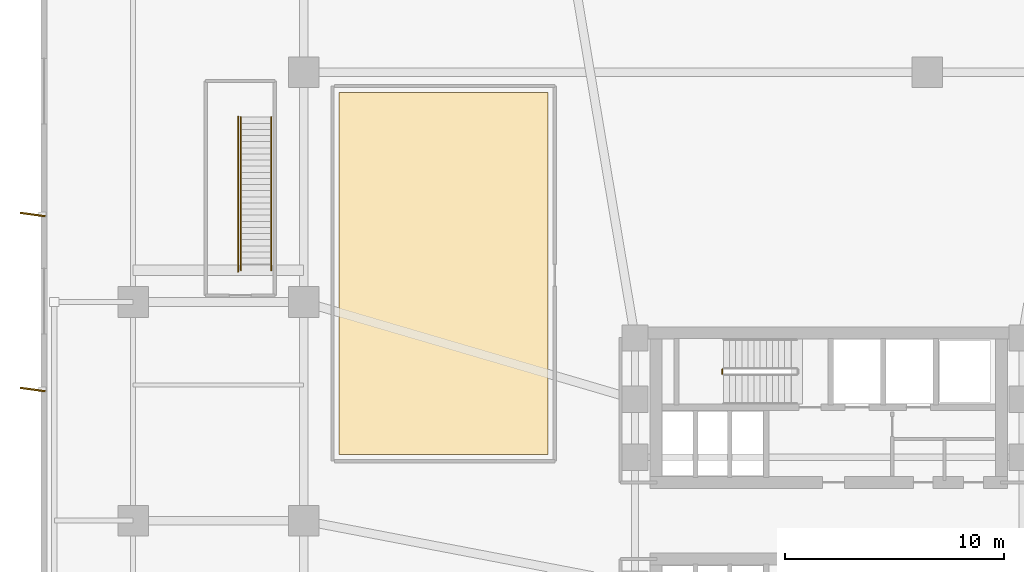
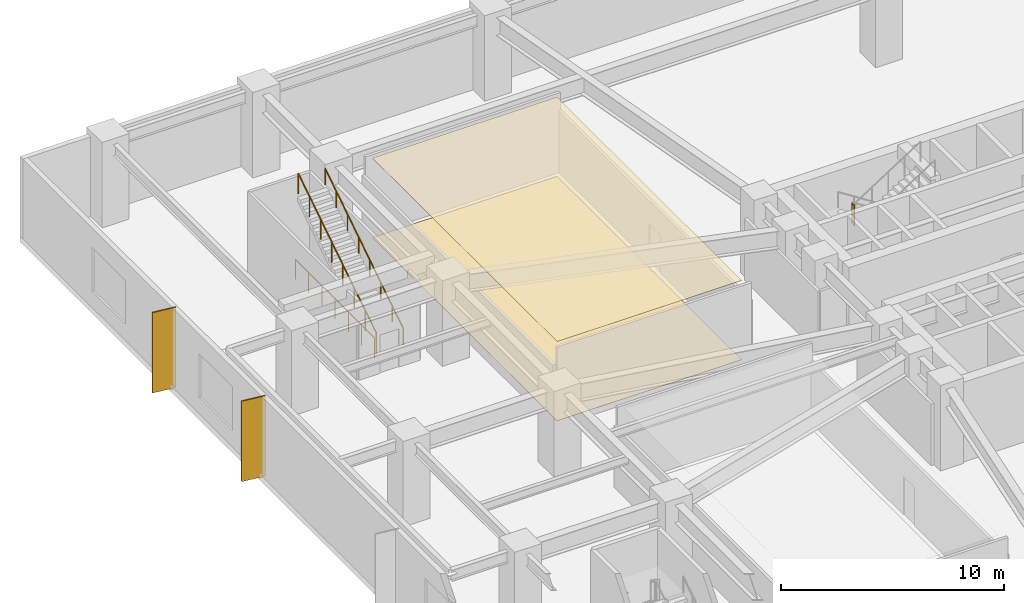
# One storey, part 19 of 21: 4 railings, 2 coverings, 2 shading devices.
"""IFC4 building model written with IfcOpenShell, lengths in metres."""

from ifc_helpers import new_model, si_unit, direction, frame, origin, origin_2d, place, context, subcontext, project, spatial, polyline, rectangle, circle, outline, extrude, material, layer, layer_set, type_object, element, save


model = new_model("IFC4")

# Units and contexts
model_context = context("Model", 3, precision=1e-05, world=origin(), true_north=direction((0.0, 1.0)))
body_context = subcontext(model_context, "Body", "Model", "MODEL_VIEW")
ifc_project = project(units=[si_unit("LENGTHUNIT", "METRE"), si_unit("AREAUNIT", "SQUARE_METRE"), si_unit("VOLUMEUNIT", "CUBIC_METRE"), si_unit("PLANEANGLEUNIT", "RADIAN"), si_unit("MASSUNIT", "GRAM", prefix="KILO")], contexts=[model_context])

# Site, building, storey
site_placement = place(None, origin())
site = spatial("IfcSite", under=ifc_project, at=site_placement, CompositionType="ELEMENT")
building_placement = place(site_placement, origin())
building = spatial("IfcBuilding", under=site, at=building_placement, Name="Solmarez Civic Tower", CompositionType="ELEMENT")
storey_placement = place(building_placement, frame((0.0, 0.0, 10.080078125)))
storey = spatial("IfcBuildingStorey", under=building, at=storey_placement, Name="L02", CompositionType="ELEMENT", Elevation=10.080078125)

# Coverings
ifc_material_1 = material(Name="Perforated Mineral-Fibre Acoustic Ceiling")
ifc_layer_1 = layer(ifc_material_1, 0.02490234375)
ifc_layer_set_1 = layer_set([ifc_layer_1], Name="Perforated Mineral-Fibre Acoustic Ceiling")
covering_type_1 = type_object("IfcCoveringType", Name="COV-CEIL-ACOUSTIC", PredefinedType="CEILING", material=ifc_layer_set_1)
covering_1_placement = place(storey_placement, frame((0.0, 0.0, 4.3349609375)))
element("IfcCovering", 1, at=covering_1_placement, inside=storey, type_object=covering_type_1, Name="L02 Suspended Acoustic Ceiling 2", PredefinedType="CEILING", context=body_context, shape_type="SweptSolid", body=[
    extrude(outline(polyline([(-12.820068359375, 3.02001953125), (-12.820068359375, 19.580078125), (-22.3798828125, 19.580078125), (-22.3798828125, 3.02001953125), (-12.820068359375, 3.02001953125)])), origin(), (0.0, 0.0, 1.0), 0.02490234375),
])
ifc_material_2 = material(Name="Polished Tropical Stone Terrazzo Flooring", Category="masonry")
ifc_layer_2 = layer(ifc_material_2, 0.02001953125)
ifc_layer_set_2 = layer_set([ifc_layer_2], Name="Polished Tropical Stone Terrazzo Flooring")
covering_type_2 = type_object("IfcCoveringType", Name="COV-FLOOR-TERRAZZO", PredefinedType="FLOORING", material=ifc_layer_set_2)
covering_2_placement = place(storey_placement, origin())
element("IfcCovering", 2, at=covering_2_placement, inside=storey, type_object=covering_type_2, Name="L02 Terrazzo Floor Finish 2", PredefinedType="FLOORING", context=body_context, shape_type="SweptSolid", body=[
    extrude(outline(polyline([(-12.820068359375, 3.02001953125), (-12.820068359375, 19.580078125), (-22.3798828125, 19.580078125), (-22.3798828125, 3.02001953125), (-12.820068359375, 3.02001953125)])), origin(), (0.0, 0.0, 1.0), 0.02001953125),
])

# Shading devices
ifc_material_3 = material(Name="Bronze Anodised Aluminium EN AW-6063 T6", Category="aluminium")
ifc_layer_3 = layer(ifc_material_3, 0.070068359375)
ifc_layer_set_3 = layer_set([ifc_layer_3], Name="Bronze Anodised Aluminium EN AW-6063 T6")
shading_device_type = type_object("IfcShadingDeviceType", Name="FIN-BRONZE-POD", PredefinedType="USERDEFINED", material=ifc_layer_set_3)
for number, where, z_axis, x_axis, name in (
    (3, (-36.39501953125, 6.0, -0.0400390625), (0.0, 0.0, 1.0), (-0.990983199715, 0.133986185418, 0.0), "L02 Anodised Bronze Solar Fin FIN-L02-W3"),
    (4, (-36.39501953125, 14.0, -0.0400390625), (0.0, 0.0, 1.0), (-0.990983199715, 0.133986185418, 0.0), "L02 Anodised Bronze Solar Fin FIN-L02-W4"),
):
    element("IfcShadingDevice", number, at=place(storey_placement, frame(where, z_axis=z_axis, x_axis=x_axis)), inside=storey, type_object=shading_device_type, Name=name, ObjectType="FIN", PredefinedType="USERDEFINED", context=body_context, shape_type="SweptSolid", body=[
        extrude(rectangle(XDim=1.14990234375, YDim=0.070068359375, at=origin_2d()), origin(), (0.0, 0.0, 1.0), 4.39990234375),
    ])

# Railings
ifc_material_4 = material(Name="Painted Steel Stairwell Safety Guard", Category="steel")
railing_type_1 = type_object("IfcRailingType", Name="GUARD-STAIR-1120", PredefinedType="BALUSTRADE", material=ifc_material_4)
railing_1_placement = place(storey_placement, frame((-4.860107421875, 6.919921875, 2.33984375)))
element("IfcRailing", 5, at=railing_1_placement, inside=storey, type_object=railing_type_1, Name="L02 ST-1 stair guard 2", PredefinedType="BALUSTRADE", context=body_context, shape_type="SweptSolid", body=[
    extrude(circle(Radius=0.02392578125, at=origin_2d()), frame((0.0, 0.0, 1.09619140625), z_axis=(0.0, -1.0, 0.0), x_axis=(1.0, 0.0, 0.0)), (0.0, 0.0, 1.0), 0.199951171875),
    extrude(circle(Radius=0.02099609375, at=origin_2d()), origin(), (0.0, 0.0, 1.0), 1.072021484375),
    extrude(circle(Radius=0.02099609375, at=origin_2d()), frame((0.0, -0.199951171875, 0.0)), (0.0, 0.0, 1.0), 1.072021484375),
])
railing_2_placement = place(storey_placement, frame((-26.8701171875, 11.449951171875, 0.179931640625)))
element("IfcRailing", 6, at=railing_2_placement, inside=storey, type_object=railing_type_1, Name="L02 Stair ST-P3 Flight Guard", PredefinedType="BALUSTRADE", context=body_context, shape_type="SweptSolid", body=[
    extrude(circle(Radius=0.02392578125, at=origin_2d()), frame((0.0, 0.0, 1.09619140625), z_axis=(0.0, 0.841178475377, 0.540757591313), x_axis=(-1.0, 0.0, 0.0)), (0.0, 0.0, 1.0), 8.32177734375),
    extrude(circle(Radius=0.02099609375, at=origin_2d()), origin(), (0.0, 0.0, 1.0), 1.072021484375),
    extrude(circle(Radius=0.02099609375, at=origin_2d()), frame((0.0, 1.0, 0.642822265625)), (0.0, 0.0, 1.0), 1.072021484375),
    extrude(circle(Radius=0.02099609375, at=origin_2d()), frame((0.0, 2.0, 1.28564453125)), (0.0, 0.0, 1.0), 1.072021484375),
    extrude(circle(Radius=0.02099609375, at=origin_2d()), frame((0.0, 3.0, 1.928466796875)), (0.0, 0.0, 1.0), 1.072021484375),
    extrude(circle(Radius=0.02099609375, at=origin_2d()), frame((0.0, 4.0, 2.571533203125)), (0.0, 0.0, 1.0), 1.072021484375),
    extrude(circle(Radius=0.02099609375, at=origin_2d()), frame((0.0, 5.0, 3.21435546875)), (0.0, 0.0, 1.0), 1.072021484375),
    extrude(circle(Radius=0.02099609375, at=origin_2d()), frame((0.0, 6.0, 3.857177734375)), (0.0, 0.0, 1.0), 1.072021484375),
    extrude(circle(Radius=0.02099609375, at=origin_2d()), frame((0.0, 7.0, 4.5)), (0.0, 0.0, 1.0), 1.072021484375),
])
railing_3_placement = place(storey_placement, frame((-27.0, 11.3798828125, 0.0)))
element("IfcRailing", 7, at=railing_3_placement, inside=storey, type_object=railing_type_1, Name="L02 Stair ST-P3 Walkway Well Guard", PredefinedType="BALUSTRADE", context=body_context, shape_type="SweptSolid", body=[
    extrude(circle(Radius=0.02392578125, at=origin_2d()), frame((0.0, 0.0, 1.09619140625), z_axis=(0.0, 1.0, 0.0), x_axis=(-1.0, 0.0, 0.0)), (0.0, 0.0, 1.0), 7.10009765625),
    extrude(circle(Radius=0.02099609375, at=origin_2d()), origin(), (0.0, 0.0, 1.0), 1.072021484375),
    extrude(circle(Radius=0.02099609375, at=origin_2d()), frame((0.0, 1.183349609375, 0.0)), (0.0, 0.0, 1.0), 1.072021484375),
    extrude(circle(Radius=0.02099609375, at=origin_2d()), frame((0.0, 2.36669921875, 0.0)), (0.0, 0.0, 1.0), 1.072021484375),
    extrude(circle(Radius=0.02099609375, at=origin_2d()), frame((0.0, 3.550048828125, 0.0)), (0.0, 0.0, 1.0), 1.072021484375),
    extrude(circle(Radius=0.02099609375, at=origin_2d()), frame((0.0, 4.7333984375, 0.0)), (0.0, 0.0, 1.0), 1.072021484375),
    extrude(circle(Radius=0.02099609375, at=origin_2d()), frame((0.0, 5.916748046875, 0.0)), (0.0, 0.0, 1.0), 1.072021484375),
    extrude(circle(Radius=0.02099609375, at=origin_2d()), frame((0.0, 7.10009765625, 0.0)), (0.0, 0.0, 1.0), 1.072021484375),
])
ifc_material_5 = material(Name="Brushed Stainless Steel Tube Handrail", Category="steel")
railing_type_2 = type_object("IfcRailingType", Name="HANDRAIL-STAIR-900", PredefinedType="HANDRAIL", material=ifc_material_5)
railing_4_placement = place(storey_placement, frame((-25.47998046875, 11.449951171875, 0.179931640625)))
element("IfcRailing", 8, at=railing_4_placement, inside=storey, type_object=railing_type_2, Name="L02 Stair ST-P3 Handrail", PredefinedType="HANDRAIL", context=body_context, shape_type="SweptSolid", body=[
    extrude(circle(Radius=0.02392578125, at=origin_2d()), frame((0.0, 0.0, 0.8759765625), z_axis=(0.0, 0.841178475377, 0.540757591313), x_axis=(-1.0, 0.0, 0.0)), (0.0, 0.0, 1.0), 8.32177734375),
    extrude(circle(Radius=0.02099609375, at=origin_2d()), origin(), (0.0, 0.0, 1.0), 0.851806640625),
    extrude(circle(Radius=0.02099609375, at=origin_2d()), frame((0.0, 1.0, 0.642822265625)), (0.0, 0.0, 1.0), 0.851806640625),
    extrude(circle(Radius=0.02099609375, at=origin_2d()), frame((0.0, 2.0, 1.28564453125)), (0.0, 0.0, 1.0), 0.851806640625),
    extrude(circle(Radius=0.02099609375, at=origin_2d()), frame((0.0, 3.0, 1.928466796875)), (0.0, 0.0, 1.0), 0.851806640625),
    extrude(circle(Radius=0.02099609375, at=origin_2d()), frame((0.0, 4.0, 2.571533203125)), (0.0, 0.0, 1.0), 0.851806640625),
    extrude(circle(Radius=0.02099609375, at=origin_2d()), frame((0.0, 5.0, 3.21435546875)), (0.0, 0.0, 1.0), 0.851806640625),
    extrude(circle(Radius=0.02099609375, at=origin_2d()), frame((0.0, 6.0, 3.857177734375)), (0.0, 0.0, 1.0), 0.851806640625),
    extrude(circle(Radius=0.02099609375, at=origin_2d()), frame((0.0, 7.0, 4.5)), (0.0, 0.0, 1.0), 0.851806640625),
])

save(model, "model.ifc")
